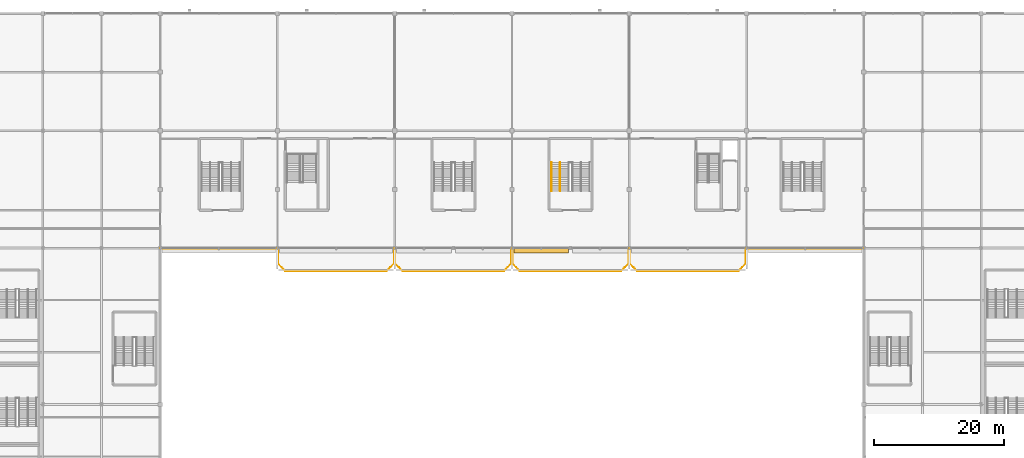
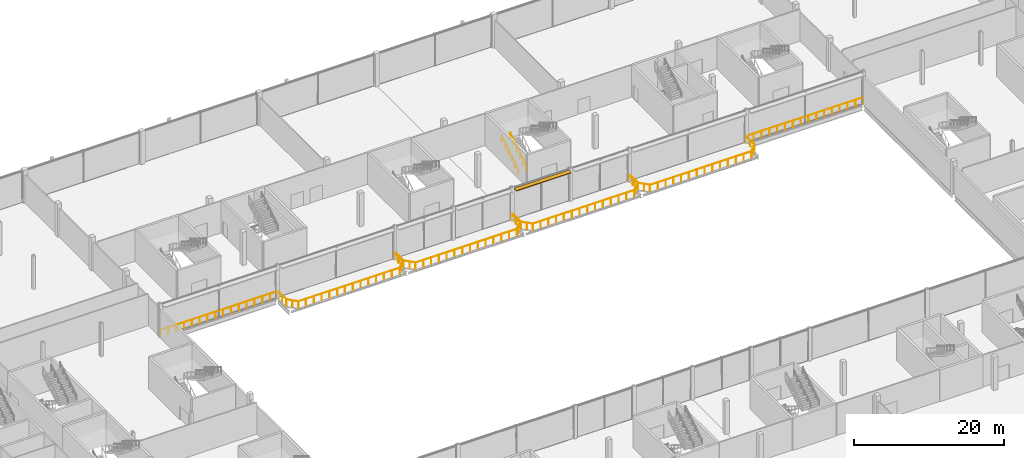
# One storey, part 104 of 113: 3 railings, 1 shading device.
"""IFC4 building model written with IfcOpenShell, lengths in metres."""

from ifc_helpers import new_model, si_unit, direction, frame, origin, origin_2d, place, context, subcontext, project, spatial, rectangle, circle, extrude, material, type_object, element, save


model = new_model("IFC4")

# Units and contexts
model_context = context("Model", 3, precision=1e-05, world=origin(), true_north=direction((0.0, 1.0)))
body_context = subcontext(model_context, "Body", "Model", "MODEL_VIEW")
ifc_project = project(units=[si_unit("LENGTHUNIT", "METRE"), si_unit("AREAUNIT", "SQUARE_METRE"), si_unit("VOLUMEUNIT", "CUBIC_METRE"), si_unit("PLANEANGLEUNIT", "RADIAN"), si_unit("MASSUNIT", "GRAM", prefix="KILO")], contexts=[model_context])

# Site, building, storey
site_placement = place(None, origin())
site = spatial("IfcSite", under=ifc_project, at=site_placement, CompositionType="ELEMENT")
building_placement = place(site_placement, origin())
building = spatial("IfcBuilding", under=site, at=building_placement, Name="Kisiwana Market Hall", CompositionType="ELEMENT")
storey_placement = place(building_placement, frame((0.0, 0.0, 6.0)))
storey = spatial("IfcBuildingStorey", under=building, at=storey_placement, Name="L01", CompositionType="ELEMENT", Elevation=6.0)

# Railings
ifc_material_1 = material(Name="Steel S275", Category="steel")
railing_type_1 = type_object("IfcRailingType", Name="RL-BALUST-1100", PredefinedType="BALUSTRADE", material=ifc_material_1)
railing_placement = place(storey_placement, frame((152.919921875, 83.919921875, 0.0)))
element("IfcRailing", 1, at=railing_placement, inside=storey, type_object=railing_type_1, Name="L01 Food Court North Atrium Edge Guardrail 1100 RL-1695", PredefinedType="BALUSTRADE", context=body_context, shape_type="SweptSolid", body=[
    extrude(circle(Radius=0.02392578125, at=origin_2d()), frame((0.0, 0.0, 1.076171875), z_axis=(-1.0, 0.0, 0.0), x_axis=(0.0, -1.0, 0.0)), (0.0, 0.0, 1.0), 18.0),
    extrude(circle(Radius=0.02392578125, at=origin_2d()), frame((-18.0, 0.0, 1.076171875), z_axis=(0.0, -1.0, 0.0), x_axis=(1.0, 0.0, 0.0)), (0.0, 0.0, 1.0), 2.27001953125),
    extrude(circle(Radius=0.02392578125, at=origin_2d()), frame((-18.0, -2.27001953125, 1.076171875), z_axis=(-0.697854896898, -0.716239165974, 0.0), x_axis=(0.716239165974, -0.697854896898, 0.0)), (0.0, 0.0, 1.0), 1.633544921875),
    extrude(circle(Radius=0.02392578125, at=origin_2d()), frame((-19.139892578125, -3.43994140625, 1.076171875), z_axis=(-1.0, 0.0, 0.0), x_axis=(0.0, -1.0, 0.0)), (0.0, 0.0, 1.0), 15.56005859375),
    extrude(circle(Radius=0.02392578125, at=origin_2d()), frame((-34.699951171875, -3.43994140625, 1.076171875), z_axis=(-0.697854896898, 0.716239165974, 0.0), x_axis=(-0.716239165974, -0.697854896898, 0.0)), (0.0, 0.0, 1.0), 1.633544921875),
    extrude(circle(Radius=0.02392578125, at=origin_2d()), frame((-35.83984375, -2.27001953125, 1.076171875), z_axis=(0.0, 1.0, 0.0), x_axis=(-1.0, 0.0, 0.0)), (0.0, 0.0, 1.0), 2.27001953125),
    extrude(circle(Radius=0.02392578125, at=origin_2d()), frame((-35.83984375, 0.0, 1.076171875), z_axis=(-1.0, 0.0, 0.0), x_axis=(0.0, -1.0, 0.0)), (0.0, 0.0, 1.0), 0.16015625),
    extrude(circle(Radius=0.02392578125, at=origin_2d()), frame((-36.0, 0.0, 1.076171875), z_axis=(0.0, -1.0, 0.0), x_axis=(1.0, 0.0, 0.0)), (0.0, 0.0, 1.0), 2.27001953125),
    extrude(circle(Radius=0.02392578125, at=origin_2d()), frame((-36.0, -2.27001953125, 1.076171875), z_axis=(-0.697854896898, -0.716239165974, 0.0), x_axis=(0.716239165974, -0.697854896898, 0.0)), (0.0, 0.0, 1.0), 1.633544921875),
    extrude(circle(Radius=0.02392578125, at=origin_2d()), frame((-37.139892578125, -3.43994140625, 1.076171875), z_axis=(-1.0, 0.0, 0.0), x_axis=(0.0, -1.0, 0.0)), (0.0, 0.0, 1.0), 15.56005859375),
    extrude(circle(Radius=0.02392578125, at=origin_2d()), frame((-52.699951171875, -3.43994140625, 1.076171875), z_axis=(-0.697854896898, 0.716239165974, 0.0), x_axis=(-0.716239165974, -0.697854896898, 0.0)), (0.0, 0.0, 1.0), 1.633544921875),
    extrude(circle(Radius=0.02392578125, at=origin_2d()), frame((-53.83984375, -2.27001953125, 1.076171875), z_axis=(0.0, 1.0, 0.0), x_axis=(-1.0, 0.0, 0.0)), (0.0, 0.0, 1.0), 2.27001953125),
    extrude(circle(Radius=0.02392578125, at=origin_2d()), frame((-53.83984375, 0.0, 1.076171875), z_axis=(-1.0, 0.0, 0.0), x_axis=(0.0, -1.0, 0.0)), (0.0, 0.0, 1.0), 0.16015625),
    extrude(circle(Radius=0.02392578125, at=origin_2d()), frame((-54.0, 0.0, 1.076171875), z_axis=(0.0, -1.0, 0.0), x_axis=(1.0, 0.0, 0.0)), (0.0, 0.0, 1.0), 2.27001953125),
    extrude(circle(Radius=0.02392578125, at=origin_2d()), frame((-54.0, -2.27001953125, 1.076171875), z_axis=(-0.697854896898, -0.716239165974, 0.0), x_axis=(0.716239165974, -0.697854896898, 0.0)), (0.0, 0.0, 1.0), 1.633544921875),
    extrude(circle(Radius=0.02392578125, at=origin_2d()), frame((-55.139892578125, -3.43994140625, 1.076171875), z_axis=(-1.0, 0.0, 0.0), x_axis=(0.0, -1.0, 0.0)), (0.0, 0.0, 1.0), 15.56005859375),
    extrude(circle(Radius=0.02392578125, at=origin_2d()), frame((-70.699951171875, -3.43994140625, 1.076171875), z_axis=(-0.697854896898, 0.716239165974, 0.0), x_axis=(-0.716239165974, -0.697854896898, 0.0)), (0.0, 0.0, 1.0), 1.633544921875),
    extrude(circle(Radius=0.02392578125, at=origin_2d()), frame((-71.83984375, -2.27001953125, 1.076171875), z_axis=(0.0, 1.0, 0.0), x_axis=(-1.0, 0.0, 0.0)), (0.0, 0.0, 1.0), 2.27001953125),
    extrude(circle(Radius=0.02392578125, at=origin_2d()), frame((-71.83984375, 0.0, 1.076171875), z_axis=(-1.0, 0.0, 0.0), x_axis=(0.0, -1.0, 0.0)), (0.0, 0.0, 1.0), 0.16015625),
    extrude(circle(Radius=0.02392578125, at=origin_2d()), frame((-72.0, 0.0, 1.076171875), z_axis=(0.0, -1.0, 0.0), x_axis=(1.0, 0.0, 0.0)), (0.0, 0.0, 1.0), 2.27001953125),
    extrude(circle(Radius=0.02392578125, at=origin_2d()), frame((-72.0, -2.27001953125, 1.076171875), z_axis=(-0.697854896898, -0.716239165974, 0.0), x_axis=(0.716239165974, -0.697854896898, 0.0)), (0.0, 0.0, 1.0), 1.633544921875),
    extrude(circle(Radius=0.02392578125, at=origin_2d()), frame((-73.139892578125, -3.43994140625, 1.076171875), z_axis=(-1.0, 0.0, 0.0), x_axis=(0.0, -1.0, 0.0)), (0.0, 0.0, 1.0), 15.56005859375),
    extrude(circle(Radius=0.02392578125, at=origin_2d()), frame((-88.699951171875, -3.43994140625, 1.076171875), z_axis=(-0.697854896898, 0.716239165974, 0.0), x_axis=(-0.716239165974, -0.697854896898, 0.0)), (0.0, 0.0, 1.0), 1.633544921875),
    extrude(circle(Radius=0.02392578125, at=origin_2d()), frame((-89.83984375, -2.27001953125, 1.076171875), z_axis=(0.0, 1.0, 0.0), x_axis=(-1.0, 0.0, 0.0)), (0.0, 0.0, 1.0), 2.27001953125),
    extrude(circle(Radius=0.02392578125, at=origin_2d()), frame((-89.83984375, 0.0, 1.076171875), z_axis=(-1.0, 0.0, 0.0), x_axis=(0.0, -1.0, 0.0)), (0.0, 0.0, 1.0), 18.0),
    extrude(circle(Radius=0.02099609375, at=origin_2d()), origin(), (0.0, 0.0, 1.0), 1.052001953125),
    extrude(circle(Radius=0.02099609375, at=origin_2d()), frame((-1.199951171875, 0.0, 0.0)), (0.0, 0.0, 1.0), 1.052001953125),
    extrude(circle(Radius=0.02099609375, at=origin_2d()), frame((-2.39990234375, 0.0, 0.0)), (0.0, 0.0, 1.0), 1.052001953125),
    extrude(circle(Radius=0.02099609375, at=origin_2d()), frame((-3.60009765625, 0.0, 0.0)), (0.0, 0.0, 1.0), 1.052001953125),
    extrude(circle(Radius=0.02099609375, at=origin_2d()), frame((-4.800048828125, 0.0, 0.0)), (0.0, 0.0, 1.0), 1.052001953125),
    extrude(circle(Radius=0.02099609375, at=origin_2d()), frame((-6.0, 0.0, 0.0)), (0.0, 0.0, 1.0), 1.052001953125),
    extrude(circle(Radius=0.02099609375, at=origin_2d()), frame((-7.199951171875, 0.0, 0.0)), (0.0, 0.0, 1.0), 1.052001953125),
    extrude(circle(Radius=0.02099609375, at=origin_2d()), frame((-8.39990234375, 0.0, 0.0)), (0.0, 0.0, 1.0), 1.052001953125),
    extrude(circle(Radius=0.02099609375, at=origin_2d()), frame((-9.60009765625, 0.0, 0.0)), (0.0, 0.0, 1.0), 1.052001953125),
    extrude(circle(Radius=0.02099609375, at=origin_2d()), frame((-10.800048828125, 0.0, 0.0)), (0.0, 0.0, 1.0), 1.052001953125),
    extrude(circle(Radius=0.02099609375, at=origin_2d()), frame((-12.0, 0.0, 0.0)), (0.0, 0.0, 1.0), 1.052001953125),
    extrude(circle(Radius=0.02099609375, at=origin_2d()), frame((-13.199951171875, 0.0, 0.0)), (0.0, 0.0, 1.0), 1.052001953125),
    extrude(circle(Radius=0.02099609375, at=origin_2d()), frame((-14.39990234375, 0.0, 0.0)), (0.0, 0.0, 1.0), 1.052001953125),
    extrude(circle(Radius=0.02099609375, at=origin_2d()), frame((-15.60009765625, 0.0, 0.0)), (0.0, 0.0, 1.0), 1.052001953125),
    extrude(circle(Radius=0.02099609375, at=origin_2d()), frame((-16.800048828125, 0.0, 0.0)), (0.0, 0.0, 1.0), 1.052001953125),
    extrude(circle(Radius=0.02099609375, at=origin_2d()), frame((-18.0, 0.0, 0.0)), (0.0, 0.0, 1.0), 1.052001953125),
    extrude(circle(Radius=0.02099609375, at=origin_2d()), frame((-18.0, -1.135009765625, 0.0)), (0.0, 0.0, 1.0), 1.052001953125),
    extrude(circle(Radius=0.02099609375, at=origin_2d()), frame((-18.0, -2.27001953125, 0.0)), (0.0, 0.0, 1.0), 1.052001953125),
    extrude(circle(Radius=0.02099609375, at=origin_2d()), frame((-18.56982421875, -2.85498046875, 0.0)), (0.0, 0.0, 1.0), 1.052001953125),
    extrude(circle(Radius=0.02099609375, at=origin_2d()), frame((-19.139892578125, -3.43994140625, 0.0)), (0.0, 0.0, 1.0), 1.052001953125),
    extrude(circle(Radius=0.02099609375, at=origin_2d()), frame((-20.3369140625, -3.43994140625, 0.0)), (0.0, 0.0, 1.0), 1.052001953125),
    extrude(circle(Radius=0.02099609375, at=origin_2d()), frame((-21.53369140625, -3.43994140625, 0.0)), (0.0, 0.0, 1.0), 1.052001953125),
    extrude(circle(Radius=0.02099609375, at=origin_2d()), frame((-22.730712890625, -3.43994140625, 0.0)), (0.0, 0.0, 1.0), 1.052001953125),
    extrude(circle(Radius=0.02099609375, at=origin_2d()), frame((-23.927490234375, -3.43994140625, 0.0)), (0.0, 0.0, 1.0), 1.052001953125),
    extrude(circle(Radius=0.02099609375, at=origin_2d()), frame((-25.12451171875, -3.43994140625, 0.0)), (0.0, 0.0, 1.0), 1.052001953125),
    extrude(circle(Radius=0.02099609375, at=origin_2d()), frame((-26.321533203125, -3.43994140625, 0.0)), (0.0, 0.0, 1.0), 1.052001953125),
    extrude(circle(Radius=0.02099609375, at=origin_2d()), frame((-27.518310546875, -3.43994140625, 0.0)), (0.0, 0.0, 1.0), 1.052001953125),
    extrude(circle(Radius=0.02099609375, at=origin_2d()), frame((-28.71533203125, -3.43994140625, 0.0)), (0.0, 0.0, 1.0), 1.052001953125),
    extrude(circle(Radius=0.02099609375, at=origin_2d()), frame((-29.912353515625, -3.43994140625, 0.0)), (0.0, 0.0, 1.0), 1.052001953125),
    extrude(circle(Radius=0.02099609375, at=origin_2d()), frame((-31.109130859375, -3.43994140625, 0.0)), (0.0, 0.0, 1.0), 1.052001953125),
    extrude(circle(Radius=0.02099609375, at=origin_2d()), frame((-32.30615234375, -3.43994140625, 0.0)), (0.0, 0.0, 1.0), 1.052001953125),
    extrude(circle(Radius=0.02099609375, at=origin_2d()), frame((-33.5029296875, -3.43994140625, 0.0)), (0.0, 0.0, 1.0), 1.052001953125),
    extrude(circle(Radius=0.02099609375, at=origin_2d()), frame((-34.699951171875, -3.43994140625, 0.0)), (0.0, 0.0, 1.0), 1.052001953125),
    extrude(circle(Radius=0.02099609375, at=origin_2d()), frame((-35.27001953125, -2.85498046875, 0.0)), (0.0, 0.0, 1.0), 1.052001953125),
    extrude(circle(Radius=0.02099609375, at=origin_2d()), frame((-35.83984375, -2.27001953125, 0.0)), (0.0, 0.0, 1.0), 1.052001953125),
    extrude(circle(Radius=0.02099609375, at=origin_2d()), frame((-35.83984375, -1.135009765625, 0.0)), (0.0, 0.0, 1.0), 1.052001953125),
    extrude(circle(Radius=0.02099609375, at=origin_2d()), frame((-35.83984375, 0.0, 0.0)), (0.0, 0.0, 1.0), 1.052001953125),
    extrude(circle(Radius=0.02099609375, at=origin_2d()), frame((-36.0, 0.0, 0.0)), (0.0, 0.0, 1.0), 1.052001953125),
    extrude(circle(Radius=0.02099609375, at=origin_2d()), frame((-36.0, -1.135009765625, 0.0)), (0.0, 0.0, 1.0), 1.052001953125),
    extrude(circle(Radius=0.02099609375, at=origin_2d()), frame((-36.0, -2.27001953125, 0.0)), (0.0, 0.0, 1.0), 1.052001953125),
    extrude(circle(Radius=0.02099609375, at=origin_2d()), frame((-36.56982421875, -2.85498046875, 0.0)), (0.0, 0.0, 1.0), 1.052001953125),
    extrude(circle(Radius=0.02099609375, at=origin_2d()), frame((-37.139892578125, -3.43994140625, 0.0)), (0.0, 0.0, 1.0), 1.052001953125),
    extrude(circle(Radius=0.02099609375, at=origin_2d()), frame((-38.3369140625, -3.43994140625, 0.0)), (0.0, 0.0, 1.0), 1.052001953125),
    extrude(circle(Radius=0.02099609375, at=origin_2d()), frame((-39.53369140625, -3.43994140625, 0.0)), (0.0, 0.0, 1.0), 1.052001953125),
    extrude(circle(Radius=0.02099609375, at=origin_2d()), frame((-40.730712890625, -3.43994140625, 0.0)), (0.0, 0.0, 1.0), 1.052001953125),
    extrude(circle(Radius=0.02099609375, at=origin_2d()), frame((-41.927490234375, -3.43994140625, 0.0)), (0.0, 0.0, 1.0), 1.052001953125),
    extrude(circle(Radius=0.02099609375, at=origin_2d()), frame((-43.12451171875, -3.43994140625, 0.0)), (0.0, 0.0, 1.0), 1.052001953125),
    extrude(circle(Radius=0.02099609375, at=origin_2d()), frame((-44.321533203125, -3.43994140625, 0.0)), (0.0, 0.0, 1.0), 1.052001953125),
    extrude(circle(Radius=0.02099609375, at=origin_2d()), frame((-45.518310546875, -3.43994140625, 0.0)), (0.0, 0.0, 1.0), 1.052001953125),
    extrude(circle(Radius=0.02099609375, at=origin_2d()), frame((-46.71533203125, -3.43994140625, 0.0)), (0.0, 0.0, 1.0), 1.052001953125),
    extrude(circle(Radius=0.02099609375, at=origin_2d()), frame((-47.912353515625, -3.43994140625, 0.0)), (0.0, 0.0, 1.0), 1.052001953125),
    extrude(circle(Radius=0.02099609375, at=origin_2d()), frame((-49.109130859375, -3.43994140625, 0.0)), (0.0, 0.0, 1.0), 1.052001953125),
    extrude(circle(Radius=0.02099609375, at=origin_2d()), frame((-50.30615234375, -3.43994140625, 0.0)), (0.0, 0.0, 1.0), 1.052001953125),
    extrude(circle(Radius=0.02099609375, at=origin_2d()), frame((-51.5029296875, -3.43994140625, 0.0)), (0.0, 0.0, 1.0), 1.052001953125),
    extrude(circle(Radius=0.02099609375, at=origin_2d()), frame((-52.699951171875, -3.43994140625, 0.0)), (0.0, 0.0, 1.0), 1.052001953125),
    extrude(circle(Radius=0.02099609375, at=origin_2d()), frame((-53.27001953125, -2.85498046875, 0.0)), (0.0, 0.0, 1.0), 1.052001953125),
    extrude(circle(Radius=0.02099609375, at=origin_2d()), frame((-53.83984375, -2.27001953125, 0.0)), (0.0, 0.0, 1.0), 1.052001953125),
    extrude(circle(Radius=0.02099609375, at=origin_2d()), frame((-53.83984375, -1.135009765625, 0.0)), (0.0, 0.0, 1.0), 1.052001953125),
    extrude(circle(Radius=0.02099609375, at=origin_2d()), frame((-53.83984375, 0.0, 0.0)), (0.0, 0.0, 1.0), 1.052001953125),
    extrude(circle(Radius=0.02099609375, at=origin_2d()), frame((-54.0, 0.0, 0.0)), (0.0, 0.0, 1.0), 1.052001953125),
    extrude(circle(Radius=0.02099609375, at=origin_2d()), frame((-54.0, -1.135009765625, 0.0)), (0.0, 0.0, 1.0), 1.052001953125),
    extrude(circle(Radius=0.02099609375, at=origin_2d()), frame((-54.0, -2.27001953125, 0.0)), (0.0, 0.0, 1.0), 1.052001953125),
    extrude(circle(Radius=0.02099609375, at=origin_2d()), frame((-54.56982421875, -2.85498046875, 0.0)), (0.0, 0.0, 1.0), 1.052001953125),
    extrude(circle(Radius=0.02099609375, at=origin_2d()), frame((-55.139892578125, -3.43994140625, 0.0)), (0.0, 0.0, 1.0), 1.052001953125),
    extrude(circle(Radius=0.02099609375, at=origin_2d()), frame((-56.3369140625, -3.43994140625, 0.0)), (0.0, 0.0, 1.0), 1.052001953125),
    extrude(circle(Radius=0.02099609375, at=origin_2d()), frame((-57.53369140625, -3.43994140625, 0.0)), (0.0, 0.0, 1.0), 1.052001953125),
    extrude(circle(Radius=0.02099609375, at=origin_2d()), frame((-58.730712890625, -3.43994140625, 0.0)), (0.0, 0.0, 1.0), 1.052001953125),
    extrude(circle(Radius=0.02099609375, at=origin_2d()), frame((-59.927490234375, -3.43994140625, 0.0)), (0.0, 0.0, 1.0), 1.052001953125),
    extrude(circle(Radius=0.02099609375, at=origin_2d()), frame((-61.12451171875, -3.43994140625, 0.0)), (0.0, 0.0, 1.0), 1.052001953125),
    extrude(circle(Radius=0.02099609375, at=origin_2d()), frame((-62.321533203125, -3.43994140625, 0.0)), (0.0, 0.0, 1.0), 1.052001953125),
    extrude(circle(Radius=0.02099609375, at=origin_2d()), frame((-63.518310546875, -3.43994140625, 0.0)), (0.0, 0.0, 1.0), 1.052001953125),
    extrude(circle(Radius=0.02099609375, at=origin_2d()), frame((-64.71533203125, -3.43994140625, 0.0)), (0.0, 0.0, 1.0), 1.052001953125),
    extrude(circle(Radius=0.02099609375, at=origin_2d()), frame((-65.912353515625, -3.43994140625, 0.0)), (0.0, 0.0, 1.0), 1.052001953125),
    extrude(circle(Radius=0.02099609375, at=origin_2d()), frame((-67.109130859375, -3.43994140625, 0.0)), (0.0, 0.0, 1.0), 1.052001953125),
    extrude(circle(Radius=0.02099609375, at=origin_2d()), frame((-68.30615234375, -3.43994140625, 0.0)), (0.0, 0.0, 1.0), 1.052001953125),
    extrude(circle(Radius=0.02099609375, at=origin_2d()), frame((-69.5029296875, -3.43994140625, 0.0)), (0.0, 0.0, 1.0), 1.052001953125),
    extrude(circle(Radius=0.02099609375, at=origin_2d()), frame((-70.699951171875, -3.43994140625, 0.0)), (0.0, 0.0, 1.0), 1.052001953125),
    extrude(circle(Radius=0.02099609375, at=origin_2d()), frame((-71.27001953125, -2.85498046875, 0.0)), (0.0, 0.0, 1.0), 1.052001953125),
    extrude(circle(Radius=0.02099609375, at=origin_2d()), frame((-71.83984375, -2.27001953125, 0.0)), (0.0, 0.0, 1.0), 1.052001953125),
    extrude(circle(Radius=0.02099609375, at=origin_2d()), frame((-71.83984375, -1.135009765625, 0.0)), (0.0, 0.0, 1.0), 1.052001953125),
    extrude(circle(Radius=0.02099609375, at=origin_2d()), frame((-71.83984375, 0.0, 0.0)), (0.0, 0.0, 1.0), 1.052001953125),
    extrude(circle(Radius=0.02099609375, at=origin_2d()), frame((-72.0, 0.0, 0.0)), (0.0, 0.0, 1.0), 1.052001953125),
    extrude(circle(Radius=0.02099609375, at=origin_2d()), frame((-72.0, -1.135009765625, 0.0)), (0.0, 0.0, 1.0), 1.052001953125),
    extrude(circle(Radius=0.02099609375, at=origin_2d()), frame((-72.0, -2.27001953125, 0.0)), (0.0, 0.0, 1.0), 1.052001953125),
    extrude(circle(Radius=0.02099609375, at=origin_2d()), frame((-72.56982421875, -2.85498046875, 0.0)), (0.0, 0.0, 1.0), 1.052001953125),
    extrude(circle(Radius=0.02099609375, at=origin_2d()), frame((-73.139892578125, -3.43994140625, 0.0)), (0.0, 0.0, 1.0), 1.052001953125),
    extrude(circle(Radius=0.02099609375, at=origin_2d()), frame((-74.3369140625, -3.43994140625, 0.0)), (0.0, 0.0, 1.0), 1.052001953125),
    extrude(circle(Radius=0.02099609375, at=origin_2d()), frame((-75.53369140625, -3.43994140625, 0.0)), (0.0, 0.0, 1.0), 1.052001953125),
    extrude(circle(Radius=0.02099609375, at=origin_2d()), frame((-76.730712890625, -3.43994140625, 0.0)), (0.0, 0.0, 1.0), 1.052001953125),
    extrude(circle(Radius=0.02099609375, at=origin_2d()), frame((-77.927490234375, -3.43994140625, 0.0)), (0.0, 0.0, 1.0), 1.052001953125),
    extrude(circle(Radius=0.02099609375, at=origin_2d()), frame((-79.12451171875, -3.43994140625, 0.0)), (0.0, 0.0, 1.0), 1.052001953125),
    extrude(circle(Radius=0.02099609375, at=origin_2d()), frame((-80.321533203125, -3.43994140625, 0.0)), (0.0, 0.0, 1.0), 1.052001953125),
    extrude(circle(Radius=0.02099609375, at=origin_2d()), frame((-81.518310546875, -3.43994140625, 0.0)), (0.0, 0.0, 1.0), 1.052001953125),
    extrude(circle(Radius=0.02099609375, at=origin_2d()), frame((-82.71533203125, -3.43994140625, 0.0)), (0.0, 0.0, 1.0), 1.052001953125),
    extrude(circle(Radius=0.02099609375, at=origin_2d()), frame((-83.912353515625, -3.43994140625, 0.0)), (0.0, 0.0, 1.0), 1.052001953125),
    extrude(circle(Radius=0.02099609375, at=origin_2d()), frame((-85.109130859375, -3.43994140625, 0.0)), (0.0, 0.0, 1.0), 1.052001953125),
    extrude(circle(Radius=0.02099609375, at=origin_2d()), frame((-86.30615234375, -3.43994140625, 0.0)), (0.0, 0.0, 1.0), 1.052001953125),
    extrude(circle(Radius=0.02099609375, at=origin_2d()), frame((-87.5029296875, -3.43994140625, 0.0)), (0.0, 0.0, 1.0), 1.052001953125),
    extrude(circle(Radius=0.02099609375, at=origin_2d()), frame((-88.699951171875, -3.43994140625, 0.0)), (0.0, 0.0, 1.0), 1.052001953125),
    extrude(circle(Radius=0.02099609375, at=origin_2d()), frame((-89.27001953125, -2.85498046875, 0.0)), (0.0, 0.0, 1.0), 1.052001953125),
    extrude(circle(Radius=0.02099609375, at=origin_2d()), frame((-89.83984375, -2.27001953125, 0.0)), (0.0, 0.0, 1.0), 1.052001953125),
    extrude(circle(Radius=0.02099609375, at=origin_2d()), frame((-89.83984375, -1.135009765625, 0.0)), (0.0, 0.0, 1.0), 1.052001953125),
    extrude(circle(Radius=0.02099609375, at=origin_2d()), frame((-89.83984375, 0.0, 0.0)), (0.0, 0.0, 1.0), 1.052001953125),
    extrude(circle(Radius=0.02099609375, at=origin_2d()), frame((-91.039794921875, 0.0, 0.0)), (0.0, 0.0, 1.0), 1.052001953125),
    extrude(circle(Radius=0.02099609375, at=origin_2d()), frame((-92.23974609375, 0.0, 0.0)), (0.0, 0.0, 1.0), 1.052001953125),
    extrude(circle(Radius=0.02099609375, at=origin_2d()), frame((-93.43994140625, 0.0, 0.0)), (0.0, 0.0, 1.0), 1.052001953125),
    extrude(circle(Radius=0.02099609375, at=origin_2d()), frame((-94.639892578125, 0.0, 0.0)), (0.0, 0.0, 1.0), 1.052001953125),
    extrude(circle(Radius=0.02099609375, at=origin_2d()), frame((-95.83984375, 0.0, 0.0)), (0.0, 0.0, 1.0), 1.052001953125),
    extrude(circle(Radius=0.02099609375, at=origin_2d()), frame((-97.039794921875, 0.0, 0.0)), (0.0, 0.0, 1.0), 1.052001953125),
    extrude(circle(Radius=0.02099609375, at=origin_2d()), frame((-98.23974609375, 0.0, 0.0)), (0.0, 0.0, 1.0), 1.052001953125),
    extrude(circle(Radius=0.02099609375, at=origin_2d()), frame((-99.43994140625, 0.0, 0.0)), (0.0, 0.0, 1.0), 1.052001953125),
    extrude(circle(Radius=0.02099609375, at=origin_2d()), frame((-100.639892578125, 0.0, 0.0)), (0.0, 0.0, 1.0), 1.052001953125),
    extrude(circle(Radius=0.02099609375, at=origin_2d()), frame((-101.83984375, 0.0, 0.0)), (0.0, 0.0, 1.0), 1.052001953125),
    extrude(circle(Radius=0.02099609375, at=origin_2d()), frame((-103.039794921875, 0.0, 0.0)), (0.0, 0.0, 1.0), 1.052001953125),
    extrude(circle(Radius=0.02099609375, at=origin_2d()), frame((-104.23974609375, 0.0, 0.0)), (0.0, 0.0, 1.0), 1.052001953125),
    extrude(circle(Radius=0.02099609375, at=origin_2d()), frame((-105.43994140625, 0.0, 0.0)), (0.0, 0.0, 1.0), 1.052001953125),
    extrude(circle(Radius=0.02099609375, at=origin_2d()), frame((-106.639892578125, 0.0, 0.0)), (0.0, 0.0, 1.0), 1.052001953125),
    extrude(circle(Radius=0.02099609375, at=origin_2d()), frame((-107.83984375, 0.0, 0.0)), (0.0, 0.0, 1.0), 1.052001953125),
])
ifc_material_2 = material(Name="Steel S275", Category="steel")
railing_type_2 = type_object("IfcRailingType", Name="RL-HAND-900", PredefinedType="HANDRAIL", material=ifc_material_2)
for number, where, name in (
    (2, (105.070068359375, 92.760009765625, 0.0), "Stair ST-N5-L01 flight 1 handrail (RL-458)"),
    (3, (106.389892578125, 92.760009765625, 0.0), "Stair ST-N5-L01 flight 1 intermediate handrail (RL-460)"),
):
    element("IfcRailing", number, at=place(storey_placement, frame(where)), inside=storey, type_object=railing_type_2, Name=name, PredefinedType="HANDRAIL", context=body_context, shape_type="SweptSolid", body=[
        extrude(circle(Radius=0.02392578125, at=origin_2d()), frame((0.0, 0.0, 0.8759765625), z_axis=(0.0, 0.849649743971, 0.527347430608), x_axis=(-1.0, 0.0, 0.0)), (0.0, 0.0, 1.0), 5.119873046875),
        extrude(circle(Radius=0.02099609375, at=origin_2d()), origin(), (0.0, 0.0, 1.0), 0.851806640625),
        extrude(circle(Radius=0.02099609375, at=origin_2d()), frame((0.0, 0.8701171875, 0.5400390625)), (0.0, 0.0, 1.0), 0.851806640625),
        extrude(circle(Radius=0.02099609375, at=origin_2d()), frame((0.0, 1.739990234375, 1.080078125)), (0.0, 0.0, 1.0), 0.851806640625),
        extrude(circle(Radius=0.02099609375, at=origin_2d()), frame((0.0, 2.610107421875, 1.619873046875)), (0.0, 0.0, 1.0), 0.851806640625),
        extrude(circle(Radius=0.02099609375, at=origin_2d()), frame((0.0, 3.47998046875, 2.159912109375)), (0.0, 0.0, 1.0), 0.851806640625),
        extrude(circle(Radius=0.02099609375, at=origin_2d()), frame((0.0, 4.35009765625, 2.699951171875)), (0.0, 0.0, 1.0), 0.851806640625),
    ])

# Shading device
ifc_material_3 = material(Name="Aluminium alloy 6063-T6", Category="aluminium")
shading_device_type = type_object("IfcShadingDeviceType", Name="SHD-JALOUSIE-H", PredefinedType="JALOUSIE", material=ifc_material_3)
shading_device_placement = place(storey_placement, frame((103.5, 83.580078125, 4.969970703125), z_axis=(0.0, 0.0, 1.0), x_axis=(1.0, 0.0, 0.0)))
element("IfcShadingDevice", 4, at=shading_device_placement, inside=storey, type_object=shading_device_type, Name="Aluminium brise-soleil louvre SHD-024 SD-024", PredefinedType="JALOUSIE", context=body_context, shape_type="SweptSolid", body=[
    extrude(rectangle(XDim=8.387939453125, YDim=0.64990234375, at=origin_2d()), origin(), (0.0, 0.0, 1.0), 0.1201171875),
])

save(model, "model.ifc")
